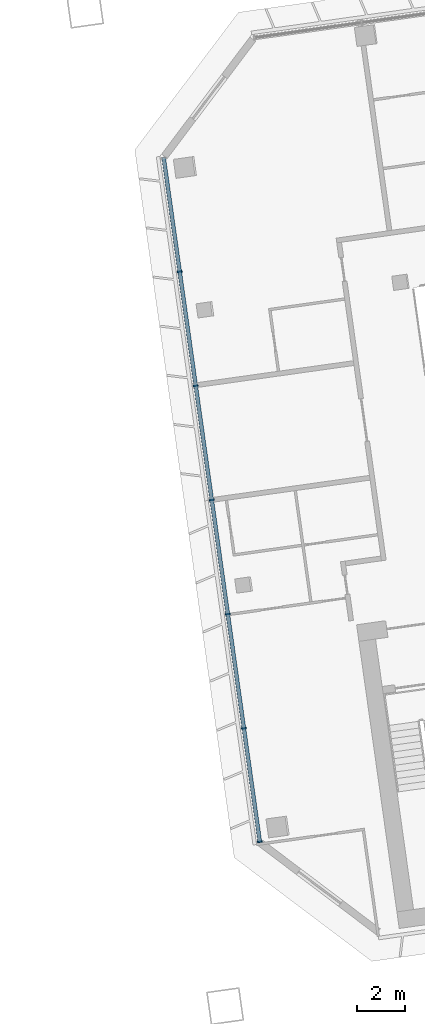
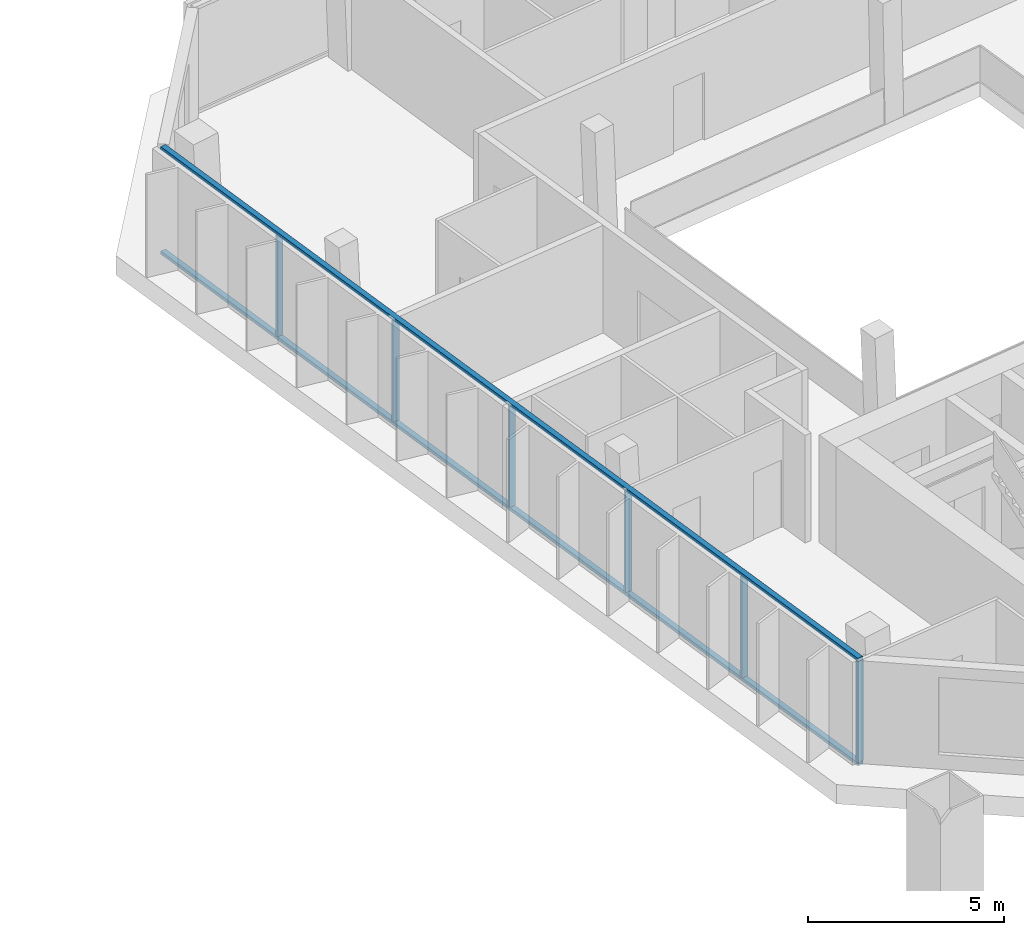
# One storey, part 8 of 32: 8 members, 1 element without a shape of its own.
"""IFC4 building model written with IfcOpenShell, lengths in metres."""

from ifc_helpers import new_model, si_unit, direction, frame, origin, origin_2d, place, context, subcontext, project, spatial, rectangle, extrude, material, material_profile, profile_set, type_object, element, aggregate, save


model = new_model("IFC4")

# Units and contexts
model_context = context("Model", 3, precision=1e-05, world=origin(), true_north=direction((0.0, 1.0)))
body_context = subcontext(model_context, "Body", "Model", "MODEL_VIEW")
ifc_project = project(units=[si_unit("LENGTHUNIT", "METRE"), si_unit("AREAUNIT", "SQUARE_METRE"), si_unit("VOLUMEUNIT", "CUBIC_METRE"), si_unit("PLANEANGLEUNIT", "RADIAN"), si_unit("MASSUNIT", "GRAM", prefix="KILO")], contexts=[model_context])

# Site, building, storey
site_placement = place(None, origin())
site = spatial("IfcSite", under=ifc_project, at=site_placement, CompositionType="ELEMENT")
building_placement = place(site_placement, origin())
building = spatial("IfcBuilding", under=site, at=building_placement, Name="Mirante Cascada Hotel Towers", CompositionType="ELEMENT")
storey_placement = place(building_placement, frame((0.0, 0.0, 176.4)))
storey = spatial("IfcBuildingStorey", under=building, at=storey_placement, Name="L41", CompositionType="ELEMENT", Elevation=176.4)

# Curtain wall, members
ifc_material_1 = material(Name="Aluminium mullion and transom frame with clear laminated glass", Category="aluminium")
curtain_wall_type = type_object("IfcCurtainWallType", Name="End ribbon curtain wall ECW2", PredefinedType="NOTDEFINED", material=ifc_material_1)
curtain_wall_placement = place(storey_placement, origin())
curtain_wall = element("IfcCurtainWall", 1, at=curtain_wall_placement, inside=storey, type_object=curtain_wall_type, Name="Inner end wall T2 L41", PredefinedType="NOTDEFINED")
ifc_material_2 = material(Name="Anodised aluminium extrusion", Category="aluminium")
ifc_material_profile_1 = material_profile(ifc_material_2, rectangle(XDim=0.2, YDim=0.065, at=origin_2d()), Name="ECW2 MULLION 65x200")
ifc_profile_set_1 = profile_set([ifc_material_profile_1], Name="Anodised aluminium extrusion")
member_type_1 = type_object("IfcMemberType", Name="ECW2 mullion 65x200", PredefinedType="MULLION", material=ifc_profile_set_1)
member_1_placement = place(storey_placement, frame((28.1057, 7.4536, 0.1), z_axis=(0.0, 0.0, 1.0), x_axis=(0.9902681, 0.1391731, 0.0)))
member_1 = element("IfcMember", 2, at=member_1_placement, type_object=member_type_1, Name="ECW2 mullion 2", PredefinedType="MULLION", context=body_context, shape_type="SweptSolid", body=[
    extrude(rectangle(XDim=0.2, YDim=0.065, at=origin_2d()), origin(), (0.0, 0.0, 1.0), 3.15),
])
member_2_placement = place(storey_placement, frame((28.7755, 2.6878, 0.1), z_axis=(0.0, 0.0, 1.0), x_axis=(0.9902681, 0.1391731, 0.0)))
member_2 = element("IfcMember", 3, at=member_2_placement, type_object=member_type_1, Name="ECW2 mullion 3", PredefinedType="MULLION", context=body_context, shape_type="SweptSolid", body=[
    extrude(rectangle(XDim=0.2, YDim=0.065, at=origin_2d()), origin(), (0.0, 0.0, 1.0), 3.15),
])
member_3_placement = place(storey_placement, frame((29.4453, -2.078, 0.1), z_axis=(0.0, 0.0, 1.0), x_axis=(0.9902681, 0.1391731, 0.0)))
member_3 = element("IfcMember", 4, at=member_3_placement, type_object=member_type_1, Name="ECW2 mullion 4", PredefinedType="MULLION", context=body_context, shape_type="SweptSolid", body=[
    extrude(rectangle(XDim=0.2, YDim=0.065, at=origin_2d()), origin(), (0.0, 0.0, 1.0), 3.15),
])
member_4_placement = place(storey_placement, frame((30.1151, -6.8437, 0.1), z_axis=(0.0, 0.0, 1.0), x_axis=(0.9902681, 0.1391731, 0.0)))
member_4 = element("IfcMember", 5, at=member_4_placement, type_object=member_type_1, Name="ECW2 mullion 5", PredefinedType="MULLION", context=body_context, shape_type="SweptSolid", body=[
    extrude(rectangle(XDim=0.2, YDim=0.065, at=origin_2d()), origin(), (0.0, 0.0, 1.0), 3.15),
])
member_5_placement = place(storey_placement, frame((30.7848, -11.6095, 0.1), z_axis=(0.0, 0.0, 1.0), x_axis=(0.9902681, 0.1391731, 0.0)))
member_5 = element("IfcMember", 6, at=member_5_placement, type_object=member_type_1, Name="ECW2 mullion 6", PredefinedType="MULLION", context=body_context, shape_type="SweptSolid", body=[
    extrude(rectangle(XDim=0.2, YDim=0.065, at=origin_2d()), origin(), (0.0, 0.0, 1.0), 3.15),
])
member_6_placement = place(storey_placement, frame((31.4501, -16.3431, 0.1), z_axis=(0.0, 0.0, 1.0), x_axis=(0.9902681, 0.1391731, 0.0)))
member_6 = element("IfcMember", 7, at=member_6_placement, type_object=member_type_1, Name="ECW2 mullion 7", PredefinedType="MULLION", context=body_context, shape_type="SweptSolid", body=[
    extrude(rectangle(XDim=0.2, YDim=0.065, at=origin_2d()), origin(), (0.0, 0.0, 1.0), 3.15),
])
ifc_material_3 = material(Name="Anodised aluminium extrusion", Category="aluminium")
ifc_material_profile_2 = material_profile(ifc_material_3, rectangle(XDim=0.16, YDim=0.1, at=origin_2d()), Name="ECW2 TRANSOM 100x160")
ifc_profile_set_2 = profile_set([ifc_material_profile_2], Name="Anodised aluminium extrusion")
member_type_2 = type_object("IfcMemberType", Name="ECW2 transom 100x160", PredefinedType="USERDEFINED", material=ifc_profile_set_2)
member_7_placement = place(storey_placement, frame((27.4359, 12.2194, 0.05), z_axis=(0.1391723, -0.9902682, 0.0), x_axis=(0.9902682, 0.1391723, 0.0)))
member_7 = element("IfcMember", 8, at=member_7_placement, type_object=member_type_2, Name="ECW2 sill transom", ObjectType="TRANSOM", PredefinedType="USERDEFINED", context=body_context, shape_type="SweptSolid", body=[
    extrude(rectangle(XDim=0.16, YDim=0.1, at=origin_2d()), origin(), (0.0, 0.0, 1.0), 28.8757),
])
member_8_placement = place(storey_placement, frame((27.4359, 12.2194, 3.3), z_axis=(0.1391723, -0.9902682, 0.0), x_axis=(0.9902682, 0.1391723, 0.0)))
member_8 = element("IfcMember", 9, at=member_8_placement, type_object=member_type_2, Name="ECW2 head transom", ObjectType="TRANSOM", PredefinedType="USERDEFINED", context=body_context, shape_type="SweptSolid", body=[
    extrude(rectangle(XDim=0.16, YDim=0.1, at=origin_2d()), origin(), (0.0, 0.0, 1.0), 28.8757),
])
aggregate(curtain_wall, [member_7, member_8, member_1, member_2, member_3, member_4, member_5, member_6])

save(model, "model.ifc")
